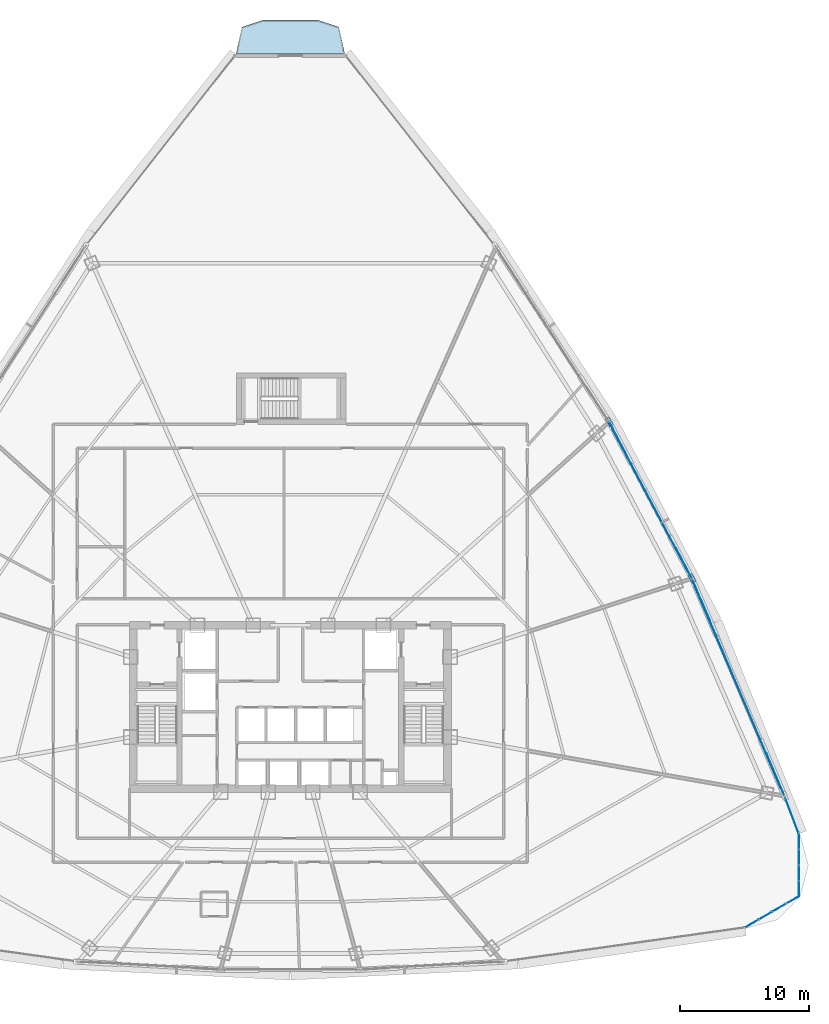
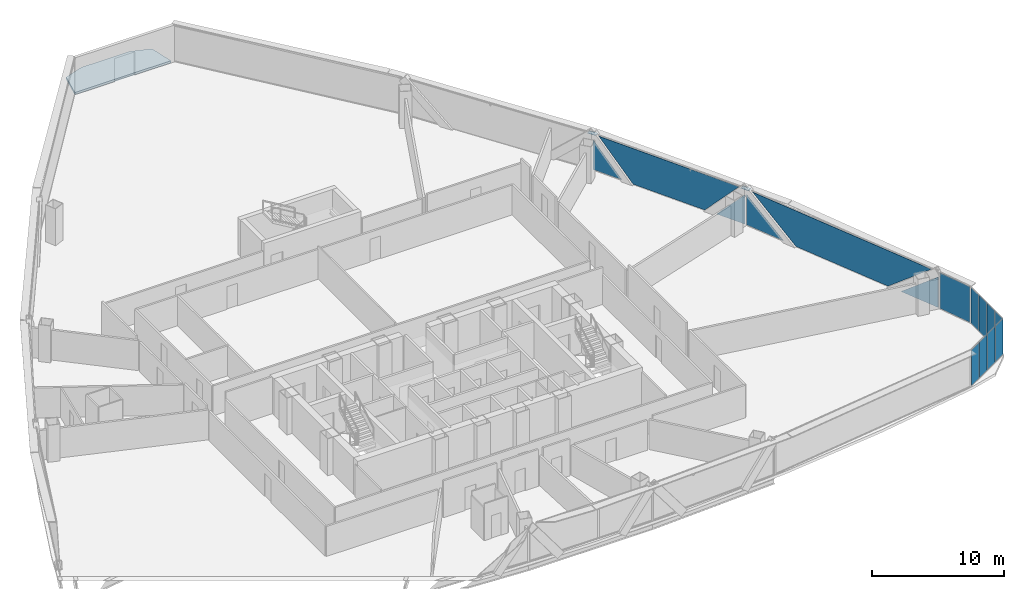
# One storey, part 32 of 41: 17 plates, 1 slab, 5 elements without a shape of their own.
"""IFC4 building model written with IfcOpenShell, lengths in metres."""

from ifc_helpers import new_model, si_unit, direction, frame, origin, origin_2d, place, context, subcontext, project, spatial, polyline, rectangle, outline, extrude, source, transform, mapped, material, layer, layer_set, type_object, element, aggregate, save


model = new_model("IFC4")

# Units and contexts
model_context = context("Model", 3, precision=1e-05, world=origin(), true_north=direction((0.0, 1.0)))
body_context = subcontext(model_context, "Body", "Model", "MODEL_VIEW")
ifc_project = project(units=[si_unit("LENGTHUNIT", "METRE"), si_unit("AREAUNIT", "SQUARE_METRE"), si_unit("VOLUMEUNIT", "CUBIC_METRE"), si_unit("PLANEANGLEUNIT", "RADIAN"), si_unit("MASSUNIT", "GRAM", prefix="KILO"), si_unit("THERMODYNAMICTEMPERATUREUNIT", "KELVIN"), si_unit("POWERUNIT", "WATT")], contexts=[model_context])

# Site, building, storey
site_placement = place(None, origin())
site = spatial("IfcSite", under=ifc_project, at=site_placement, CompositionType="ELEMENT")
building_placement = place(site_placement, origin())
building = spatial("IfcBuilding", under=site, at=building_placement, Name="Yunzhuo Pagoda Commons", CompositionType="ELEMENT")
storey_placement = place(building_placement, frame((0.0, 0.0, 155.590087890625)))
storey = spatial("IfcBuildingStorey", under=building, at=storey_placement, Name="L39", CompositionType="ELEMENT", Elevation=155.590087890625)

# Curtain wall, plates
ifc_material_1 = material(Name="Anodized aluminium 6063-T6", Category="aluminium")
ifc_layer_1 = layer(ifc_material_1, 0.14990234375)
ifc_layer_set_1 = layer_set([ifc_layer_1], Name="Anodized aluminium 6063-T6")
curtain_wall_type_1 = type_object("IfcCurtainWallType", Name="CW-MID Mid-Zone Ribbon Curtain Wall", PredefinedType="NOTDEFINED", material=ifc_layer_set_1)
curtain_wall_1_placement = place(storey_placement, origin())
curtain_wall_1 = element("IfcCurtainWall", 1, at=curtain_wall_1_placement, inside=storey, type_object=curtain_wall_type_1, Name="L39 curtain wall CW-L39-F2B2", PredefinedType="NOTDEFINED")
ifc_material_2 = material(Name="Tempered low-e double glazing", Category="glass")
ifc_layer_2 = layer(ifc_material_2, 0.028076171875)
ifc_layer_set_2 = layer_set([ifc_layer_2], Name="Tempered low-e double glazing")
plate_type_1 = type_object("IfcPlateType", Name="CW-MID-P Low-E Double Glazing 28", PredefinedType="CURTAIN_PANEL", material=ifc_layer_set_2)
plate_1_placement = place(storey_placement, frame((85.642822265625, 28.608154296875, 1.469970703125), z_axis=(0.92021678471, 0.391409081572, 0.0), x_axis=(-0.391409081572, 0.92021678471, 0.0)))
plate_1 = element("IfcPlate", 2, at=plate_1_placement, type_object=plate_type_1, Name="CW panel 1.1 lite 1", PredefinedType="CURTAIN_PANEL", context=body_context, shape_type="SweptSolid", body=[
    extrude(outline(polyline([(-1.76513671875, -1.4150390625), (1.764892578125, -1.4150390625), (-1.76513671875, 1.414794921875), (-1.76513671875, -1.4150390625)])), origin(), (0.0, 0.0, 1.0), 0.028076171875),
])
plate_2_placement = place(storey_placement, frame((82.73583984375, 35.36572265625, 1.7099609375), z_axis=(0.92021678471, 0.391409081572, 0.0), x_axis=(-0.391409081572, 0.92021678471, 0.0)))
plate_2 = element("IfcPlate", 3, at=plate_2_placement, type_object=plate_type_1, Name="CW panel 1.1 lite 2", PredefinedType="CURTAIN_PANEL", context=body_context, shape_type="SweptSolid", body=[
    extrude(outline(polyline([(-8.505126953125, 1.655029296875), (-4.376220703125, -1.655029296875), (4.376220703125, -1.655029296875), (8.505126953125, 1.655029296875), (-8.505126953125, 1.655029296875)])), origin(), (0.0, 0.0, 1.0), 0.028076171875),
])
plate_3_placement = place(storey_placement, frame((79.88427734375, 42.146728515625, 1.469970703125), z_axis=(0.92021678471, 0.391409081572, 0.0), x_axis=(-0.391409081572, 0.92021678471, 0.0)))
plate_3 = element("IfcPlate", 4, at=plate_3_placement, type_object=plate_type_1, Name="CW panel 1.1 lite 3", PredefinedType="CURTAIN_PANEL", context=body_context, shape_type="SweptSolid", body=[
    extrude(outline(polyline([(-1.764892578125, -1.4150390625), (1.76513671875, -1.4150390625), (1.76513671875, 1.414794921875), (-1.764892578125, -1.4150390625)])), origin(), (0.0, 0.0, 1.0), 0.028076171875),
])
aggregate(curtain_wall_1, [plate_1, plate_2, plate_3])

curtain_wall_2_placement = place(storey_placement, origin())
curtain_wall_2 = element("IfcCurtainWall", 5, at=curtain_wall_2_placement, inside=storey, type_object=curtain_wall_type_1, Name="L39 curtain wall CW-L39-F2B3", PredefinedType="NOTDEFINED")
plate_4_placement = place(storey_placement, frame((78.543212890625, 45.01171875, 1.427001953125), z_axis=(0.884068631112, 0.467357096324, 0.0), x_axis=(-0.467357096324, 0.884068631112, 0.0)))
plate_4 = element("IfcPlate", 6, at=plate_4_placement, type_object=plate_type_1, Name="CW panel 1.1 lite 1", PredefinedType="CURTAIN_PANEL", context=body_context, shape_type="SweptSolid", body=[
    extrude(outline(polyline([(-1.281982421875, -1.3720703125), (1.28173828125, -1.3720703125), (-1.281982421875, 1.3720703125), (-1.281982421875, -1.3720703125)])), origin(), (0.0, 0.0, 1.0), 0.028076171875),
])
plate_5_placement = place(storey_placement, frame((75.93017578125, 49.890380859375, 1.7099609375), z_axis=(0.884068631112, 0.467357096324, 0.0), x_axis=(-0.467357096324, 0.884068631112, 0.0)))
plate_5 = element("IfcPlate", 7, at=plate_5_placement, type_object=plate_type_1, Name="CW panel 1.1 lite 2", PredefinedType="CURTAIN_PANEL", context=body_context, shape_type="SweptSolid", body=[
    extrude(outline(polyline([(-6.3046875, 1.655029296875), (-3.21240234375, -1.655029296875), (3.21240234375, -1.655029296875), (6.3046875, 1.655029296875), (-6.3046875, 1.655029296875)])), origin(), (0.0, 0.0, 1.0), 0.028076171875),
])
plate_6_placement = place(storey_placement, frame((73.3701171875, 54.797119140625, 1.427001953125), z_axis=(0.884068631112, 0.467357096324, 0.0), x_axis=(-0.467357096324, 0.884068631112, 0.0)))
plate_6 = element("IfcPlate", 8, at=plate_6_placement, type_object=plate_type_1, Name="CW panel 1.1 lite 3", PredefinedType="CURTAIN_PANEL", context=body_context, shape_type="SweptSolid", body=[
    extrude(outline(polyline([(-1.28173828125, -1.3720703125), (1.281982421875, -1.3720703125), (1.281982421875, 1.3720703125), (-1.28173828125, -1.3720703125)])), origin(), (0.0, 0.0, 1.0), 0.028076171875),
])
aggregate(curtain_wall_2, [plate_4, plate_5, plate_6])

# Slab
ifc_material_3 = material(Name="Concrete C40", Category="concrete")
ifc_layer_3 = layer(ifc_material_3, 0.199951171875)
ifc_layer_set_3 = layer_set([ifc_layer_3], Name="Concrete C40")
slab_type = type_object("IfcSlabType", Name="SL-BAL Vertex Balcony Deck Slab 200", PredefinedType="FLOOR", material=ifc_layer_set_3)
slab_placement = place(storey_placement, frame((0.0, 0.0, -0.2001953125)))
element("IfcSlab", 9, at=slab_placement, inside=storey, type_object=slab_type, Name="L39 corner balcony V3", PredefinedType="FLOOR", context=body_context, shape_type="SweptSolid", body=[
    extrude(outline(polyline([(52.220703125, 84.548095703125), (43.779296875, 84.548095703125), (44.229248046875, 86.64306640625), (45.8896484375, 87.193115234375), (50.1103515625, 87.193115234375), (51.770751953125, 86.64306640625), (52.220703125, 84.548095703125)])), origin(), (0.0, 0.0, 1.0), 0.2001953125),
])

# Plates
ifc_material_4 = material(Name="Structural steel Q355B", Category="steel")
ifc_layer_4 = layer(ifc_material_4, 0.028076171875)
ifc_layer_set_4 = layer_set([ifc_layer_4], Name="Structural steel Q355B")
plate_type_2 = type_object("IfcPlateType", Name="SP-ND1 Lattice Node Cap Plate 800x500x28", PredefinedType="USERDEFINED", material=ifc_layer_set_4)
shared_shape_1 = source(origin(), body_context, "Body", "SweptSolid", [
    extrude(rectangle(XDim=0.699951171875, YDim=0.35009765625, at=origin_2d()), origin(), (0.0, 0.0, 1.0), 0.035888671875),
])
for number, where, z_axis, x_axis, name in (
    (10, (79.182861328125, 43.831787109375, 3.3818359375), (0.0, 0.0, 1.0), (-0.46735900579, 0.884067621682, 0.0), "L39 setback lattice tie plate F2.2L"),
    (11, (72.755615234375, 55.989990234375, 3.3818359375), (0.0, 0.0, 1.0), (-0.543526101434, 0.8393922665, 0.0), "L39 setback lattice tie plate F2.3L"),
):
    element("IfcPlate", number, at=place(storey_placement, frame(where, z_axis=z_axis, x_axis=x_axis)), inside=storey, type_object=plate_type_2, Name=name, ObjectType="STIFFENER_PLATE", PredefinedType="USERDEFINED", context=body_context, shape_type="MappedRepresentation", body=[
        mapped(shared_shape_1, transform((0.0, 0.0, 0.0), scale=1.0)),
    ])

# Curtain wall, plate
curtain_wall_3_placement = place(storey_placement, origin())
curtain_wall_3 = element("IfcCurtainWall", 12, at=curtain_wall_3_placement, inside=storey, type_object=curtain_wall_type_1, Name="L39 curtain wall CW-L39-F2B1", PredefinedType="NOTDEFINED")
shared_shape_2 = source(origin(), body_context, "Body", "SweptSolid", [
    extrude(rectangle(XDim=2.937255859375, YDim=0.028076171875, at=origin_2d()), origin(), (0.0, 0.0, 1.0), 3.31005859375),
])
plate_7_placement = place(storey_placement, frame((86.937744140625, 25.4345703125, 0.054931640625), z_axis=(0.0, 0.0, 1.0), x_axis=(-0.35399648846, 0.935246751482, 0.0)))
plate_7 = element("IfcPlate", 13, at=plate_7_placement, type_object=plate_type_1, Name="CW panel 1.1", PredefinedType="CURTAIN_PANEL", context=body_context, shape_type="MappedRepresentation", body=[
    mapped(shared_shape_2, transform((0.0, 0.0, 0.0), scale=1.0)),
])
aggregate(curtain_wall_3, [plate_7])

# Curtain wall, plates
ifc_layer_5 = layer(ifc_material_1, 0.1298828125)
ifc_layer_set_5 = layer_set([ifc_layer_5], Name="Anodized aluminium 6063-T6")
curtain_wall_type_2 = type_object("IfcCurtainWallType", Name="CW-VTX Rounded Corner Curtain Wall", PredefinedType="NOTDEFINED", material=ifc_layer_set_5)
curtain_wall_4_placement = place(storey_placement, origin())
curtain_wall_4 = element("IfcCurtainWall", 14, at=curtain_wall_4_placement, inside=storey, type_object=curtain_wall_type_2, Name="L39 curtain wall CW-L39-VTX2S1", PredefinedType="NOTDEFINED")
ifc_layer_6 = layer(ifc_material_2, 0.02587890625)
ifc_layer_set_6 = layer_set([ifc_layer_6], Name="Tempered low-e double glazing")
plate_type_3 = type_object("IfcPlateType", Name="CW-VTX-P Low-E Double Glazing 26", PredefinedType="CURTAIN_PANEL", material=ifc_layer_set_6)
shared_shape_3 = source(origin(), body_context, "Body", "SweptSolid", [
    extrude(rectangle(XDim=1.141845703125, YDim=0.028076171875, at=origin_2d()), origin(), (0.0, 0.0, 1.0), 3.31005859375),
])
plate_8_placement = place(storey_placement, frame((83.83984375, 17.03662109375, 0.054931640625), z_axis=(0.0, 0.0, 1.0), x_axis=(0.865427217457, 0.501034660762, 0.0)))
plate_8 = element("IfcPlate", 15, at=plate_8_placement, type_object=plate_type_3, Name="CW panel 1.1", PredefinedType="CURTAIN_PANEL", context=body_context, shape_type="MappedRepresentation", body=[
    mapped(shared_shape_3, transform((0.0, 0.0, 0.0), scale=1.0)),
])
plate_9_placement = place(storey_placement, frame((86.994873046875, 18.86328125, 0.054931640625), z_axis=(0.0, 0.0, 1.0), x_axis=(0.865427217457, 0.501034660762, 0.0)))
plate_9 = element("IfcPlate", 16, at=plate_9_placement, type_object=plate_type_3, Name="CW panel 4.1", PredefinedType="CURTAIN_PANEL", context=body_context, shape_type="MappedRepresentation", body=[
    mapped(shared_shape_3, transform((0.0, 0.0, 0.0), scale=1.0)),
])

curtain_wall_5_placement = place(storey_placement, origin())
curtain_wall_5 = element("IfcCurtainWall", 17, at=curtain_wall_5_placement, inside=storey, type_object=curtain_wall_type_2, Name="L39 curtain wall CW-L39-VTX2S2", PredefinedType="NOTDEFINED")
plate_10_placement = place(storey_placement, frame((87.494384765625, 19.7333984375, 0.054931640625), z_axis=(0.0, 0.0, 1.0), x_axis=(-0.00359372042, 0.999993542566, 0.0)))
plate_10 = element("IfcPlate", 18, at=plate_10_placement, type_object=plate_type_3, Name="CW panel 1.1", PredefinedType="CURTAIN_PANEL", context=body_context, shape_type="MappedRepresentation", body=[
    mapped(shared_shape_3, transform((0.0, 0.0, 0.0), scale=1.0)),
])
plate_11_placement = place(storey_placement, frame((87.481201171875, 23.37890625, 0.054931640625), z_axis=(0.0, 0.0, 1.0), x_axis=(-0.00359372042, 0.999993542566, 0.0)))
plate_11 = element("IfcPlate", 19, at=plate_11_placement, type_object=plate_type_3, Name="CW panel 4.1", PredefinedType="CURTAIN_PANEL", context=body_context, shape_type="MappedRepresentation", body=[
    mapped(shared_shape_3, transform((0.0, 0.0, 0.0), scale=1.0)),
])

# Plate
shared_shape_4 = source(origin(), body_context, "Body", "SweptSolid", [
    extrude(rectangle(XDim=1.16943359375, YDim=0.028076171875, at=origin_2d()), origin(), (0.0, 0.0, 1.0), 3.31005859375),
])
plate_12_placement = place(storey_placement, frame((84.887451171875, 17.643310546875, 0.054931640625), z_axis=(0.0, 0.0, 1.0), x_axis=(0.865427217457, 0.501034660762, 0.0)))
plate_12 = element("IfcPlate", 20, at=plate_12_placement, type_object=plate_type_3, Name="CW panel 2.1", PredefinedType="CURTAIN_PANEL", context=body_context, shape_type="MappedRepresentation", body=[
    mapped(shared_shape_4, transform((0.0, 0.0, 0.0), scale=1.0)),
])

plate_13_placement = place(storey_placement, frame((85.947021484375, 18.2568359375, 0.054931640625), z_axis=(0.0, 0.0, 1.0), x_axis=(0.865427217457, 0.501034660762, 0.0)))
plate_13 = element("IfcPlate", 21, at=plate_13_placement, type_object=plate_type_3, Name="CW panel 3.1", PredefinedType="CURTAIN_PANEL", context=body_context, shape_type="MappedRepresentation", body=[
    mapped(shared_shape_4, transform((0.0, 0.0, 0.0), scale=1.0)),
])

aggregate(curtain_wall_4, [plate_8, plate_12, plate_13, plate_9])

plate_14_placement = place(storey_placement, frame((87.489990234375, 20.94384765625, 0.054931640625), z_axis=(0.0, 0.0, 1.0), x_axis=(-0.00359372042, 0.999993542566, 0.0)))
plate_14 = element("IfcPlate", 22, at=plate_14_placement, type_object=plate_type_3, Name="CW panel 2.1", PredefinedType="CURTAIN_PANEL", context=body_context, shape_type="MappedRepresentation", body=[
    mapped(shared_shape_4, transform((0.0, 0.0, 0.0), scale=1.0)),
])

plate_15_placement = place(storey_placement, frame((87.485595703125, 22.168212890625, 0.054931640625), z_axis=(0.0, 0.0, 1.0), x_axis=(-0.00359372042, 0.999993542566, 0.0)))
plate_15 = element("IfcPlate", 23, at=plate_15_placement, type_object=plate_type_3, Name="CW panel 3.1", PredefinedType="CURTAIN_PANEL", context=body_context, shape_type="MappedRepresentation", body=[
    mapped(shared_shape_4, transform((0.0, 0.0, 0.0), scale=1.0)),
])

aggregate(curtain_wall_5, [plate_10, plate_14, plate_15, plate_11])

save(model, "model.ifc")
